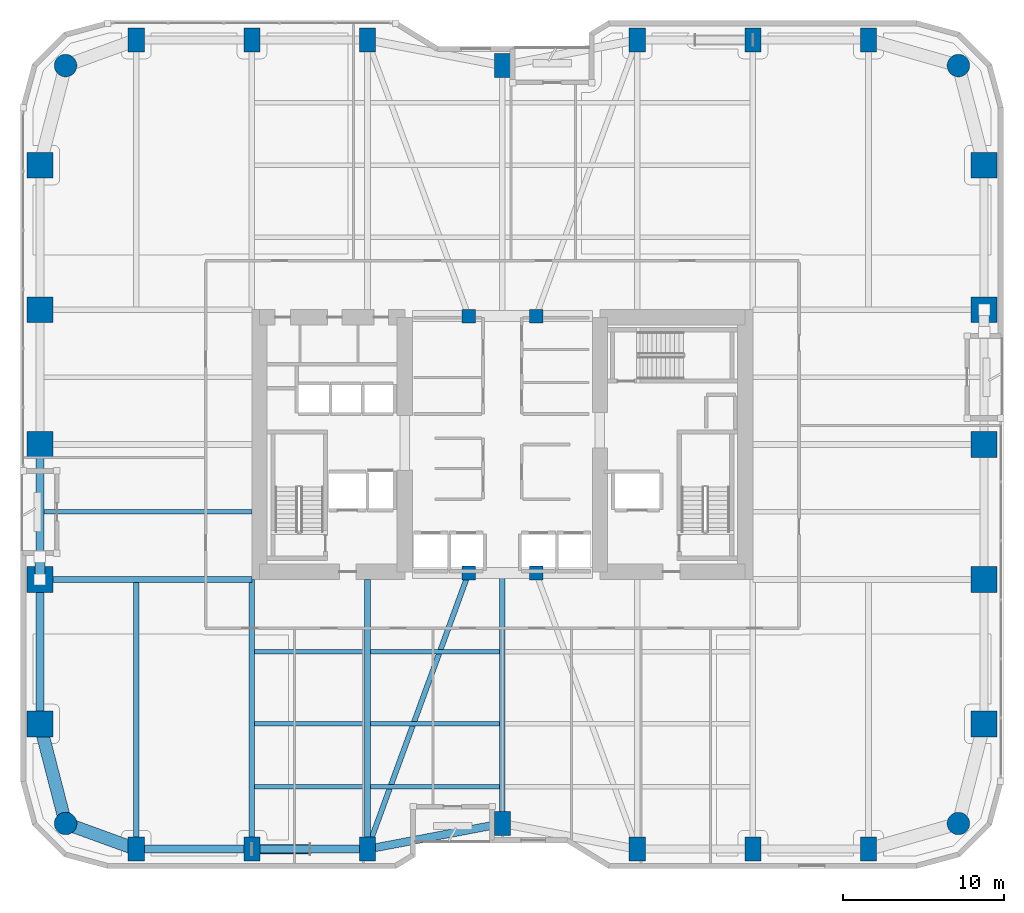
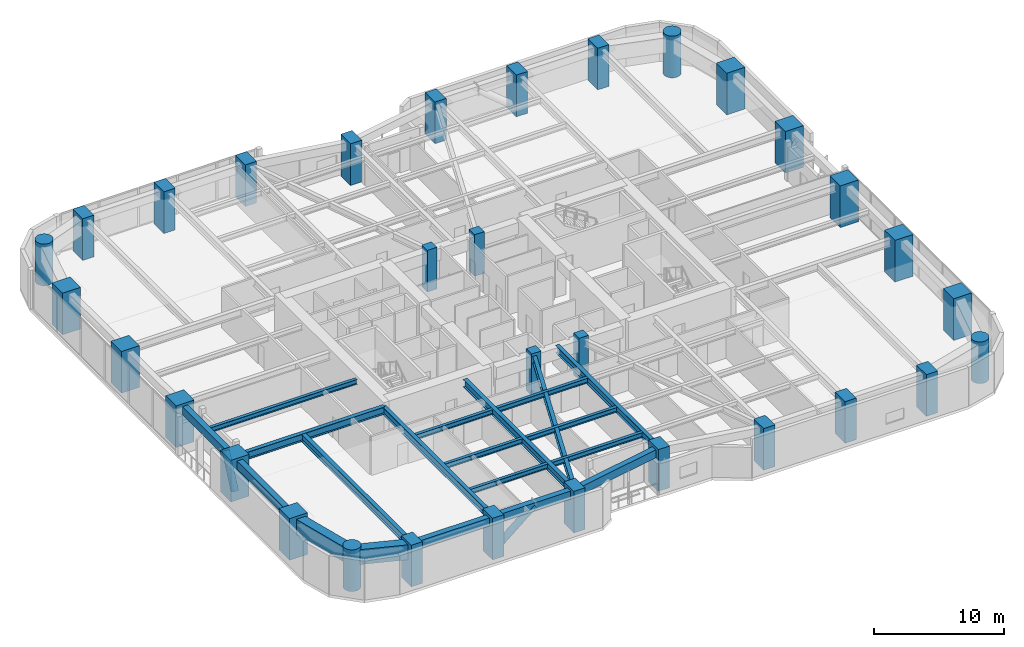
# One storey, part 1 of 28: 32 columns, 20 beams, 2 members.
"""IFC4 building model written with IfcOpenShell, lengths in metres."""

from ifc_helpers import new_model, si_unit, direction, frame, origin, origin_2d, place, context, subcontext, project, spatial, rectangle, circle, hollow_circle, i_section, extrude, material, material_profile, profile_set, type_object, element, save


model = new_model("IFC4")

# Units and contexts
model_context = context("Model", 3, precision=1e-05, world=origin(), true_north=direction((0.0, 1.0)))
body_context = subcontext(model_context, "Body", "Model", "MODEL_VIEW")
ifc_project = project(units=[si_unit("LENGTHUNIT", "METRE"), si_unit("AREAUNIT", "SQUARE_METRE"), si_unit("VOLUMEUNIT", "CUBIC_METRE"), si_unit("PLANEANGLEUNIT", "RADIAN"), si_unit("MASSUNIT", "GRAM", prefix="KILO")], contexts=[model_context])

# Site, building, storey
site_placement = place(None, origin())
site = spatial("IfcSite", under=ifc_project, at=site_placement, CompositionType="ELEMENT")
building_placement = place(site_placement, origin())
building = spatial("IfcBuilding", under=site, at=building_placement, Name="Kiyonajd Concourse Tower", CompositionType="ELEMENT")
storey_placement = place(building_placement, frame((0.0, 0.0, 60.60009765625)))
storey = spatial("IfcBuildingStorey", under=building, at=storey_placement, Name="L16", CompositionType="ELEMENT", Elevation=60.60009765625)

# Columns
ifc_material_1 = material(Name="Concrete C80/95", Category="concrete")
ifc_material_profile_1 = material_profile(ifc_material_1, rectangle(XDim=1.0, YDim=1.5, at=origin_2d()), Name="RC-1500x1000")
ifc_profile_set_1 = profile_set([ifc_material_profile_1], Name="Concrete C80/95")
column_type_1 = type_object("IfcColumnType", Name="CL-BLADE-1500", PredefinedType="COLUMN", material=ifc_profile_set_1)
for number, where, z_axis, x_axis, name in (
    (1, (25.199951171875, 10.800048828125, 0.0), (0.0, 0.0, 1.0), (1.0, 0.0, 0.0), "L16 Perimeter Bundled Tube Column"),
    (2, (25.199951171875, 61.199951171875, 0.0), (0.0, 0.0, 1.0), (1.0, 0.0, 0.0), "L16 Perimeter Bundled Tube Column"),
    (3, (32.39990234375, 10.800048828125, 0.0), (0.0, 0.0, 1.0), (1.0, 0.0, 0.0), "L16 Perimeter Bundled Tube Column"),
    (4, (32.39990234375, 61.199951171875, 0.0), (0.0, 0.0, 1.0), (1.0, 0.0, 0.0), "L16 Perimeter Bundled Tube Column"),
    (5, (39.60009765625, 10.800048828125, 0.0), (0.0, 0.0, 1.0), (1.0, 0.0, 0.0), "L16 Perimeter Bundled Tube Column"),
    (6, (39.60009765625, 61.199951171875, 0.0), (0.0, 0.0, 1.0), (1.0, 0.0, 0.0), "L16 Perimeter Bundled Tube Column"),
    (7, (48.0, 12.39990234375, 0.0), (0.0, 0.0, 1.0), (1.0, 0.0, 0.0), "L16 Perimeter Bundled Tube Column"),
    (8, (48.0, 59.60009765625, 0.0), (0.0, 0.0, 1.0), (1.0, 0.0, 0.0), "L16 Perimeter Bundled Tube Column"),
    (9, (56.39990234375, 10.800048828125, 0.0), (0.0, 0.0, 1.0), (1.0, 0.0, 0.0), "L16 Perimeter Bundled Tube Column"),
    (10, (56.39990234375, 61.199951171875, 0.0), (0.0, 0.0, 1.0), (1.0, 0.0, 0.0), "L16 Perimeter Bundled Tube Column"),
    (11, (63.60009765625, 10.800048828125, 0.0), (0.0, 0.0, 1.0), (1.0, 0.0, 0.0), "L16 Perimeter Bundled Tube Column"),
    (12, (63.60009765625, 61.199951171875, 0.0), (0.0, 0.0, 1.0), (1.0, 0.0, 0.0), "L16 Perimeter Bundled Tube Column"),
    (13, (70.800048828125, 10.800048828125, 0.0), (0.0, 0.0, 1.0), (1.0, 0.0, 0.0), "L16 Perimeter Bundled Tube Column"),
    (14, (70.800048828125, 61.199951171875, 0.0), (0.0, 0.0, 1.0), (1.0, 0.0, 0.0), "L16 Perimeter Bundled Tube Column"),
):
    element("IfcColumn", number, at=place(storey_placement, frame(where, z_axis=z_axis, x_axis=x_axis)), inside=storey, type_object=column_type_1, Name=name, PredefinedType="COLUMN", context=body_context, shape_type="SweptSolid", body=[
        extrude(rectangle(XDim=1.0, YDim=1.5, at=origin_2d()), origin(), (0.0, 0.0, 1.0), 3.89990234375),
    ])
ifc_material_profile_2 = material_profile(ifc_material_1, circle(Radius=0.699951171875, at=origin_2d()), Name="RCC-D1400")
ifc_profile_set_2 = profile_set([ifc_material_profile_2], Name="Concrete C80/95")
column_type_2 = type_object("IfcColumnType", Name="CL-RND-1400", PredefinedType="COLUMN", material=ifc_profile_set_2)
for number, where, z_axis, x_axis, name in (
    (15, (20.800048828125, 12.39990234375, 0.0), (0.0, 0.0, 1.0), (1.0, 0.0, 0.0), "L16 Bundled Tube Corner Column South West"),
    (16, (76.39990234375, 12.39990234375, 0.0), (0.0, 0.0, 1.0), (1.0, 0.0, 0.0), "L16 Bundled Tube Corner Column South East"),
    (17, (76.39990234375, 59.60009765625, 0.0), (0.0, 0.0, 1.0), (1.0, 0.0, 0.0), "L16 Bundled Tube Corner Column North East"),
    (18, (20.800048828125, 59.60009765625, 0.0), (0.0, 0.0, 1.0), (1.0, 0.0, 0.0), "L16 Bundled Tube Corner Column North West"),
):
    element("IfcColumn", number, at=place(storey_placement, frame(where, z_axis=z_axis, x_axis=x_axis)), inside=storey, type_object=column_type_2, Name=name, PredefinedType="COLUMN", context=body_context, shape_type="SweptSolid", body=[
        extrude(circle(Radius=0.699951171875, at=origin_2d()), origin(), (0.0, 0.0, 1.0), 3.89990234375),
    ])
ifc_material_profile_3 = material_profile(ifc_material_1, rectangle(XDim=1.60009765625, YDim=1.60009765625, at=origin_2d()), Name="RC-1600x1600")
ifc_profile_set_3 = profile_set([ifc_material_profile_3], Name="Concrete C80/95")
column_type_3 = type_object("IfcColumnType", Name="CL-TUBE-1600", PredefinedType="COLUMN", material=ifc_profile_set_3)
for number, where, z_axis, x_axis, name in (
    (19, (19.199951171875, 18.60009765625, 0.0), (0.0, 0.0, 1.0), (1.0, 0.0, 0.0), "L16 Perimeter Bundled Tube Column"),
    (20, (78.0, 18.60009765625, 0.0), (0.0, 0.0, 1.0), (1.0, 0.0, 0.0), "L16 Perimeter Bundled Tube Column"),
    (21, (19.199951171875, 27.60009765625, 0.0), (0.0, 0.0, 1.0), (1.0, 0.0, 0.0), "L16 Perimeter Bundled Tube Column"),
    (22, (78.0, 27.60009765625, 0.0), (0.0, 0.0, 1.0), (1.0, 0.0, 0.0), "L16 Perimeter Bundled Tube Column"),
    (23, (19.199951171875, 36.0, 0.0), (0.0, 0.0, 1.0), (1.0, 0.0, 0.0), "L16 Perimeter Bundled Tube Column"),
    (24, (78.0, 36.0, 0.0), (0.0, 0.0, 1.0), (1.0, 0.0, 0.0), "L16 Perimeter Bundled Tube Column"),
    (25, (19.199951171875, 44.39990234375, 0.0), (0.0, 0.0, 1.0), (1.0, 0.0, 0.0), "L16 Perimeter Bundled Tube Column"),
    (26, (78.0, 44.39990234375, 0.0), (0.0, 0.0, 1.0), (1.0, 0.0, 0.0), "L16 Perimeter Bundled Tube Column"),
    (27, (19.199951171875, 53.39990234375, 0.0), (0.0, 0.0, 1.0), (1.0, 0.0, 0.0), "L16 Perimeter Bundled Tube Column"),
    (28, (78.0, 53.39990234375, 0.0), (0.0, 0.0, 1.0), (1.0, 0.0, 0.0), "L16 Perimeter Bundled Tube Column"),
):
    element("IfcColumn", number, at=place(storey_placement, frame(where, z_axis=z_axis, x_axis=x_axis)), inside=storey, type_object=column_type_3, Name=name, PredefinedType="COLUMN", context=body_context, shape_type="SweptSolid", body=[
        extrude(rectangle(XDim=1.60009765625, YDim=1.60009765625, at=origin_2d()), origin(), (0.0, 0.0, 1.0), 3.89990234375),
    ])
ifc_material_2 = material(Name="Concrete C60/75", Category="concrete")
ifc_material_profile_4 = material_profile(ifc_material_2, rectangle(XDim=0.85009765625, YDim=0.85009765625, at=origin_2d()), Name="RC-850x850")
ifc_profile_set_4 = profile_set([ifc_material_profile_4], Name="Concrete C60/75")
column_type_4 = type_object("IfcColumnType", Name="CL-TUBE-850", PredefinedType="COLUMN", material=ifc_profile_set_4)
for number, where, z_axis, x_axis, name in (
    (29, (45.89990234375, 28.0, 0.0), (0.0, 0.0, 1.0), (1.0, 0.0, 0.0), "L16 Core Tie Column South West"),
    (30, (50.10009765625, 28.0, 0.0), (0.0, 0.0, 1.0), (1.0, 0.0, 0.0), "L16 Core Tie Column South East"),
    (31, (45.89990234375, 44.0, 0.0), (0.0, 0.0, 1.0), (1.0, 0.0, 0.0), "L16 Core Tie Column North West"),
    (32, (50.10009765625, 44.0, 0.0), (0.0, 0.0, 1.0), (1.0, 0.0, 0.0), "L16 Core Tie Column North East"),
):
    element("IfcColumn", number, at=place(storey_placement, frame(where, z_axis=z_axis, x_axis=x_axis)), inside=storey, type_object=column_type_4, Name=name, PredefinedType="COLUMN", context=body_context, shape_type="SweptSolid", body=[
        extrude(rectangle(XDim=0.85009765625, YDim=0.85009765625, at=origin_2d()), origin(), (0.0, 0.0, 1.0), 3.89990234375),
    ])

# Beams
ifc_material_3 = material(Name="Steel ASTM A992 Grade 50", Category="steel")
ifc_material_profile_5 = material_profile(ifc_material_3, i_section(OverallWidth=0.280029296875, OverallDepth=0.462890625, WebThickness=0.0107421875, FlangeThickness=0.017333984375, at=origin_2d()), Name="W460X113")
ifc_profile_set_5 = profile_set([ifc_material_profile_5], Name="Steel ASTM A992 Grade 50")
beam_type_1 = type_object("IfcBeamType", Name="BM-JST-460A", PredefinedType="JOIST", material=ifc_profile_set_5)
beam_1_placement = place(storey_placement, frame((32.577392578125, 14.699951171875, 3.408447265625), z_axis=(1.0, 0.0, 0.0), x_axis=(0.0, 1.0, 0.0)))
element("IfcBeam", 33, at=beam_1_placement, inside=storey, type_object=beam_type_1, Name="L16 Secondary Floor Joist", PredefinedType="JOIST", context=body_context, shape_type="SweptSolid", body=[
    extrude(i_section(OverallWidth=0.280029296875, OverallDepth=0.462890625, WebThickness=0.0107421875, FlangeThickness=0.017333984375, at=origin_2d()), origin(), (0.0, 0.0, 1.0), 6.84521484375),
])
beam_2_placement = place(storey_placement, frame((39.777587890625, 14.699951171875, 3.408447265625), z_axis=(1.0, 0.0, 0.0), x_axis=(0.0, 1.0, 0.0)))
element("IfcBeam", 34, at=beam_2_placement, inside=storey, type_object=beam_type_1, Name="L16 Secondary Floor Joist", PredefinedType="JOIST", context=body_context, shape_type="SweptSolid", body=[
    extrude(i_section(OverallWidth=0.280029296875, OverallDepth=0.462890625, WebThickness=0.0107421875, FlangeThickness=0.017333984375, at=origin_2d()), origin(), (0.0, 0.0, 1.0), 8.044921875),
])
beam_3_placement = place(storey_placement, frame((32.577392578125, 18.60009765625, 3.408447265625), z_axis=(1.0, 0.0, 0.0), x_axis=(0.0, 1.0, 0.0)))
element("IfcBeam", 35, at=beam_3_placement, inside=storey, type_object=beam_type_1, Name="L16 Secondary Floor Joist", PredefinedType="JOIST", context=body_context, shape_type="SweptSolid", body=[
    extrude(i_section(OverallWidth=0.280029296875, OverallDepth=0.462890625, WebThickness=0.0107421875, FlangeThickness=0.017333984375, at=origin_2d()), origin(), (0.0, 0.0, 1.0), 6.84521484375),
])
beam_4_placement = place(storey_placement, frame((39.777587890625, 18.60009765625, 3.408447265625), z_axis=(1.0, 0.0, 0.0), x_axis=(0.0, 1.0, 0.0)))
element("IfcBeam", 36, at=beam_4_placement, inside=storey, type_object=beam_type_1, Name="L16 Secondary Floor Joist", PredefinedType="JOIST", context=body_context, shape_type="SweptSolid", body=[
    extrude(i_section(OverallWidth=0.280029296875, OverallDepth=0.462890625, WebThickness=0.0107421875, FlangeThickness=0.017333984375, at=origin_2d()), origin(), (0.0, 0.0, 1.0), 8.044921875),
])
beam_5_placement = place(storey_placement, frame((32.577392578125, 23.10009765625, 3.408447265625), z_axis=(1.0, 0.0, 0.0), x_axis=(0.0, 1.0, 0.0)))
element("IfcBeam", 37, at=beam_5_placement, inside=storey, type_object=beam_type_1, Name="L16 Secondary Floor Joist", PredefinedType="JOIST", context=body_context, shape_type="SweptSolid", body=[
    extrude(i_section(OverallWidth=0.280029296875, OverallDepth=0.462890625, WebThickness=0.0107421875, FlangeThickness=0.017333984375, at=origin_2d()), origin(), (0.0, 0.0, 1.0), 6.84521484375),
])
beam_6_placement = place(storey_placement, frame((39.777587890625, 23.10009765625, 3.408447265625), z_axis=(1.0, 0.0, 0.0), x_axis=(0.0, 1.0, 0.0)))
element("IfcBeam", 38, at=beam_6_placement, inside=storey, type_object=beam_type_1, Name="L16 Secondary Floor Joist", PredefinedType="JOIST", context=body_context, shape_type="SweptSolid", body=[
    extrude(i_section(OverallWidth=0.280029296875, OverallDepth=0.462890625, WebThickness=0.0107421875, FlangeThickness=0.017333984375, at=origin_2d()), origin(), (0.0, 0.0, 1.0), 8.044921875),
])
beam_7_placement = place(storey_placement, frame((19.449951171875, 31.800048828125, 3.408447265625), z_axis=(1.0, 0.0, 0.0), x_axis=(0.0, 1.0, 0.0)))
element("IfcBeam", 39, at=beam_7_placement, inside=storey, type_object=beam_type_1, Name="L16 West Secondary Floor Joist", PredefinedType="JOIST", context=body_context, shape_type="SweptSolid", body=[
    extrude(i_section(OverallWidth=0.280029296875, OverallDepth=0.462890625, WebThickness=0.0107421875, FlangeThickness=0.017333984375, at=origin_2d()), origin(), (0.0, 0.0, 1.0), 12.949951171875),
])
ifc_material_4 = material(Name="Precast concrete C50/60", Category="concrete")
ifc_material_profile_6 = material_profile(ifc_material_4, rectangle(XDim=0.5, YDim=0.75, at=origin_2d()), Name="RCBM-500x750")
ifc_profile_set_6 = profile_set([ifc_material_profile_6], Name="Precast concrete C50/60")
beam_type_2 = type_object("IfcBeamType", Name="BM-SPAN-RC", PredefinedType="SPANDREL", material=ifc_profile_set_6)
beam_8_placement = place(storey_placement, frame((19.199951171875, 27.60009765625, 3.264892578125), z_axis=(0.0, -1.0, 0.0), x_axis=(1.0, 0.0, 0.0)))
element("IfcBeam", 40, at=beam_8_placement, inside=storey, type_object=beam_type_2, Name="L16 Perimeter Bundled Tube Spandrel", PredefinedType="SPANDREL", context=body_context, shape_type="SweptSolid", body=[
    extrude(rectangle(XDim=0.5, YDim=0.75, at=origin_2d()), origin(), (0.0, 0.0, 1.0), 9.0),
])
beam_9_placement = place(storey_placement, frame((25.199951171875, 10.800048828125, 3.264892578125), z_axis=(1.0, 0.0, 0.0), x_axis=(0.0, 1.0, 0.0)))
element("IfcBeam", 41, at=beam_9_placement, inside=storey, type_object=beam_type_2, Name="L16 Perimeter Bundled Tube Spandrel", PredefinedType="SPANDREL", context=body_context, shape_type="SweptSolid", body=[
    extrude(rectangle(XDim=0.5, YDim=0.75, at=origin_2d()), origin(), (0.0, 0.0, 1.0), 7.199951171875),
])
beam_10_placement = place(storey_placement, frame((32.39990234375, 10.800048828125, 3.264892578125), z_axis=(1.0, 0.0, 0.0), x_axis=(0.0, 1.0, 0.0)))
element("IfcBeam", 42, at=beam_10_placement, inside=storey, type_object=beam_type_2, Name="L16 Perimeter Bundled Tube Spandrel", PredefinedType="SPANDREL", context=body_context, shape_type="SweptSolid", body=[
    extrude(rectangle(XDim=0.5, YDim=0.75, at=origin_2d()), origin(), (0.0, 0.0, 1.0), 7.2001953125),
])
beam_11_placement = place(storey_placement, frame((39.60009765625, 10.800048828125, 3.264892578125), z_axis=(0.982341315253, 0.187097675953, 0.0), x_axis=(-0.187097675953, 0.982341315253, 0.0)))
element("IfcBeam", 43, at=beam_11_placement, inside=storey, type_object=beam_type_2, Name="L16 Perimeter Bundled Tube Spandrel", PredefinedType="SPANDREL", context=body_context, shape_type="SweptSolid", body=[
    extrude(rectangle(XDim=0.5, YDim=0.75, at=origin_2d()), origin(), (0.0, 0.0, 1.0), 8.55078125),
])
beam_12_placement = place(storey_placement, frame((19.199951171875, 36.0, 3.264892578125), z_axis=(0.0, -1.0, 0.0), x_axis=(1.0, 0.0, 0.0)))
element("IfcBeam", 44, at=beam_12_placement, inside=storey, type_object=beam_type_2, Name="L16 Perimeter Bundled Tube Spandrel", PredefinedType="SPANDREL", context=body_context, shape_type="SweptSolid", body=[
    extrude(rectangle(XDim=0.5, YDim=0.75, at=origin_2d()), origin(), (0.0, 0.0, 1.0), 8.39990234375),
])
ifc_material_profile_7 = material_profile(ifc_material_3, i_section(OverallWidth=0.326904296875, OverallDepth=0.6220703125, WebThickness=0.015380859375, FlangeThickness=0.0244140625, at=origin_2d()), Name="W610X195")
ifc_profile_set_7 = profile_set([ifc_material_profile_7], Name="Steel ASTM A992 Grade 50")
beam_type_3 = type_object("IfcBeamType", Name="BM-TWR-610A", PredefinedType="BEAM", material=ifc_profile_set_7)
beam_13_placement = place(storey_placement, frame((39.60009765625, 10.800048828125, 3.328857421875), z_axis=(0.343925269715, 0.938997022813, 0.0), x_axis=(-0.938997022813, 0.343925269715, 0.0)))
element("IfcBeam", 45, at=beam_13_placement, inside=storey, type_object=beam_type_3, Name="L16 Core Tie Girder", PredefinedType="BEAM", context=body_context, shape_type="SweptSolid", body=[
    extrude(i_section(OverallWidth=0.326904296875, OverallDepth=0.6220703125, WebThickness=0.015380859375, FlangeThickness=0.0244140625, at=origin_2d()), origin(), (0.0, 0.0, 1.0), 18.3173828125),
])
ifc_material_profile_8 = material_profile(ifc_material_3, i_section(OverallWidth=0.35498046875, OverallDepth=0.695068359375, WebThickness=0.015380859375, FlangeThickness=0.02490234375, at=origin_2d()), Name="W690X217")
ifc_profile_set_8 = profile_set([ifc_material_profile_8], Name="Steel ASTM A992 Grade 50")
beam_type_4 = type_object("IfcBeamType", Name="BM-TWR-690", PredefinedType="BEAM", material=ifc_profile_set_8)
for number, where, z_axis, x_axis, name in (
    (46, (25.199951171875, 10.800048828125, 3.29248046875), (0.0, 1.0, 0.0), (-1.0, 0.0, 0.0), "L16 South Lease Girder"),
    (47, (32.39990234375, 10.800048828125, 3.29248046875), (0.0, 1.0, 0.0), (-1.0, 0.0, 0.0), "L16 South Lease Girder"),
    (48, (39.60009765625, 10.800048828125, 3.29248046875), (0.0, 1.0, 0.0), (-1.0, 0.0, 0.0), "L16 South Lease Girder"),
):
    element("IfcBeam", number, at=place(storey_placement, frame(where, z_axis=z_axis, x_axis=x_axis)), inside=storey, type_object=beam_type_4, Name=name, PredefinedType="BEAM", context=body_context, shape_type="SweptSolid", body=[
        extrude(i_section(OverallWidth=0.35498046875, OverallDepth=0.695068359375, WebThickness=0.015380859375, FlangeThickness=0.02490234375, at=origin_2d()), origin(), (0.0, 0.0, 1.0), 16.800048828125),
    ])
beam_14_placement = place(storey_placement, frame((48.0, 12.39990234375, 3.29248046875), z_axis=(0.0, 1.0, 0.0), x_axis=(-1.0, 0.0, 0.0)))
element("IfcBeam", 49, at=beam_14_placement, inside=storey, type_object=beam_type_4, Name="L16 South Ribbon Girder", PredefinedType="BEAM", context=body_context, shape_type="SweptSolid", body=[
    extrude(i_section(OverallWidth=0.35498046875, OverallDepth=0.695068359375, WebThickness=0.015380859375, FlangeThickness=0.02490234375, at=origin_2d()), origin(), (0.0, 0.0, 1.0), 15.60009765625),
])
beam_15_placement = place(storey_placement, frame((19.199951171875, 27.60009765625, 3.29248046875), z_axis=(1.0, 0.0, 0.0), x_axis=(0.0, 1.0, 0.0)))
element("IfcBeam", 50, at=beam_15_placement, inside=storey, type_object=beam_type_4, Name="L16 West Lease Girder", PredefinedType="BEAM", context=body_context, shape_type="SweptSolid", body=[
    extrude(i_section(OverallWidth=0.35498046875, OverallDepth=0.695068359375, WebThickness=0.015380859375, FlangeThickness=0.02490234375, at=origin_2d()), origin(), (0.0, 0.0, 1.0), 13.199951171875),
])
ifc_material_profile_9 = material_profile(ifc_material_2, rectangle(XDim=0.800048828125, YDim=1.39990234375, at=origin_2d()), Name="RCBM-800x1400")
ifc_profile_set_9 = profile_set([ifc_material_profile_9], Name="Concrete C60/75")
beam_type_5 = type_object("IfcBeamType", Name="BM-XFER-RC", PredefinedType="BEAM", material=ifc_profile_set_9)
beam_16_placement = place(storey_placement, frame((19.199951171875, 18.60009765625, 2.93994140625), z_axis=(0.249884937687, -0.968275538221, 0.0), x_axis=(0.968275538221, 0.249884937687, 0.0)))
element("IfcBeam", 51, at=beam_16_placement, inside=storey, type_object=beam_type_5, Name="L16 Perimeter Bundled Tube Spandrel", PredefinedType="BEAM", context=body_context, shape_type="SweptSolid", body=[
    extrude(rectangle(XDim=0.800048828125, YDim=1.39990234375, at=origin_2d()), origin(), (0.0, 0.0, 1.0), 6.4033203125),
])
beam_17_placement = place(storey_placement, frame((20.800048828125, 12.39990234375, 2.93994140625), z_axis=(0.939801036019, -0.341722127901, 0.0), x_axis=(0.341722127901, 0.939801036019, 0.0)))
element("IfcBeam", 52, at=beam_17_placement, inside=storey, type_object=beam_type_5, Name="L16 Perimeter Bundled Tube Spandrel", PredefinedType="BEAM", context=body_context, shape_type="SweptSolid", body=[
    extrude(rectangle(XDim=0.800048828125, YDim=1.39990234375, at=origin_2d()), origin(), (0.0, 0.0, 1.0), 4.681640625),
])

# Members
ifc_material_5 = material(Name="Steel ASTM A572 Grade 50", Category="steel")
ifc_material_profile_10 = material_profile(ifc_material_5, hollow_circle(Radius=0.304931640625, WallThickness=0.02490234375, at=origin_2d()), Name="CHS-610x25")
ifc_profile_set_10 = profile_set([ifc_material_profile_10], Name="Steel ASTM A572 Grade 50")
member_type = type_object("IfcMemberType", Name="MB-PB-LOW", PredefinedType="BRACE", material=ifc_profile_set_10)
member_1_placement = place(storey_placement, frame((32.39990234375, 10.800048828125, 0.2998046875), z_axis=(0.769280705518, 0.0, 0.638910945373), x_axis=(0.0, 1.0, 0.0)))
element("IfcMember", 53, at=member_1_placement, inside=storey, type_object=member_type, Name="L16 Lower Zone Welded Tube Brace PBS", PredefinedType="BRACE", context=body_context, shape_type="SweptSolid", body=[
    extrude(hollow_circle(Radius=0.304931640625, WallThickness=0.02490234375, at=origin_2d()), origin(), (0.0, 0.0, 1.0), 4.679931640625),
])
member_2_placement = place(storey_placement, frame((19.199951171875, 27.60009765625, 0.2998046875), z_axis=(0.0, 0.424022702926, 0.905651559598), x_axis=(-1.0, 0.0, 0.0)))
element("IfcMember", 54, at=member_2_placement, inside=storey, type_object=member_type, Name="L16 Lower Zone Welded Tube Brace PBW", PredefinedType="BRACE", context=body_context, shape_type="SweptSolid", body=[
    extrude(hollow_circle(Radius=0.304931640625, WallThickness=0.02490234375, at=origin_2d()), origin(), (0.0, 0.0, 1.0), 3.301513671875),
])

save(model, "model.ifc")
